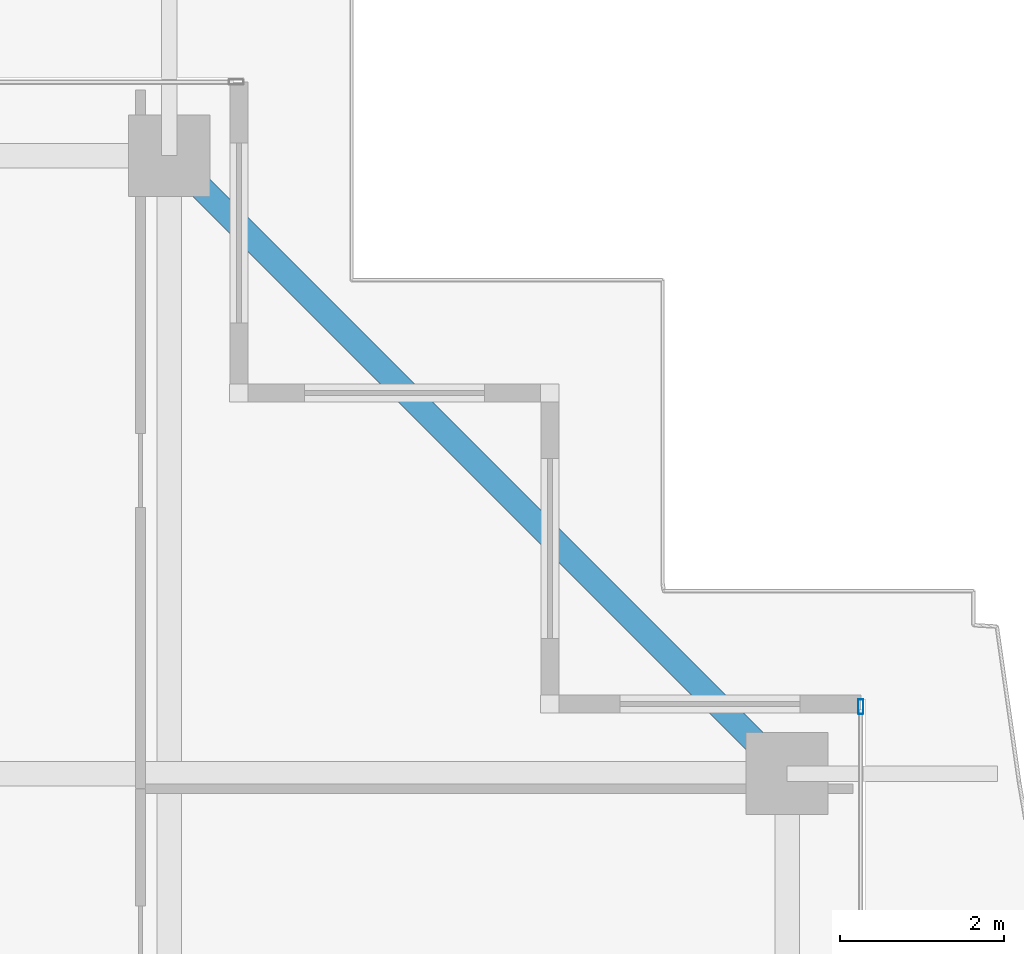
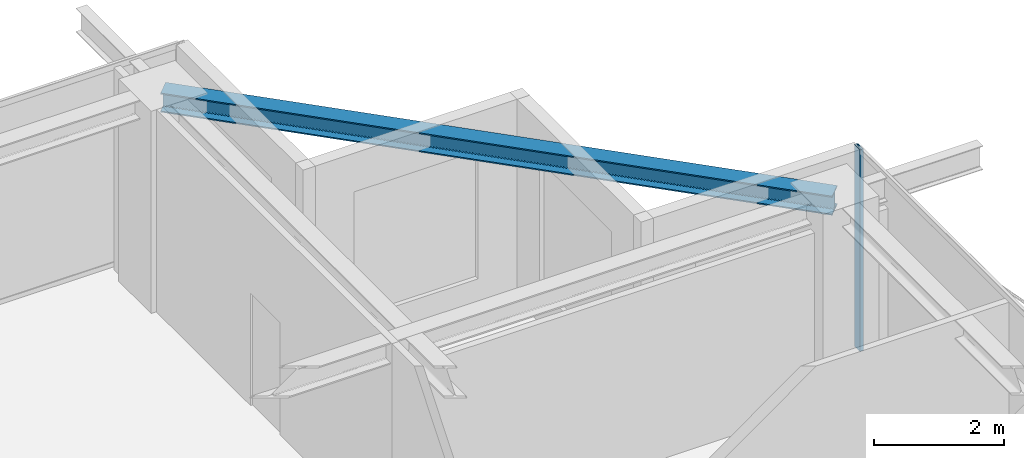
# One storey, part 28 of 42: 1 beam, 1 member, 1 element without a shape of its own.
"""IFC4 building model written with IfcOpenShell, lengths in metres."""

from ifc_helpers import new_model, si_unit, direction, frame, origin, origin_2d, place, context, subcontext, project, spatial, hollow_rectangle, i_section, extrude, source, transform, mapped, material, layer, layer_set, material_profile, profile_set, type_object, element, aggregate, save


model = new_model("IFC4")

# Units and contexts
model_context = context("Model", 3, precision=1e-05, world=origin(), true_north=direction((0.0, 1.0)))
body_context = subcontext(model_context, "Body", "Model", "MODEL_VIEW")
ifc_project = project(units=[si_unit("LENGTHUNIT", "METRE"), si_unit("AREAUNIT", "SQUARE_METRE"), si_unit("VOLUMEUNIT", "CUBIC_METRE"), si_unit("PLANEANGLEUNIT", "RADIAN"), si_unit("MASSUNIT", "GRAM", prefix="KILO")], contexts=[model_context])

# Site, building, storey
site_placement = place(None, origin())
site = spatial("IfcSite", under=ifc_project, at=site_placement, CompositionType="ELEMENT")
building_placement = place(site_placement, origin())
building = spatial("IfcBuilding", under=site, at=building_placement, Name="Serunith Strait Residences", CompositionType="ELEMENT")
storey_placement = place(building_placement, frame((0.0, 0.0, 325.85009765625)))
storey = spatial("IfcBuildingStorey", under=building, at=storey_placement, Name="L81", CompositionType="ELEMENT", Elevation=325.85009765625)

# Beam
ifc_material_1 = material(Name="Steel S355J2", Category="steel")
ifc_material_profile_1 = material_profile(ifc_material_1, i_section(OverallWidth=0.300048828125, OverallDepth=0.360107421875, WebThickness=0.012451171875, FlangeThickness=0.0224609375, FilletRadius=0.027099609375, at=origin_2d()), Name="HEB 360")
ifc_profile_set_1 = profile_set([ifc_material_profile_1], Name="Steel S355J2")
beam_type = type_object("IfcBeamType", Name="BM-HEB360", PredefinedType="BEAM", material=ifc_profile_set_1)
shared_shape_1 = source(origin(), body_context, "Body", "SweptSolid", [
    extrude(i_section(OverallWidth=0.300048828125, OverallDepth=0.360107421875, WebThickness=0.012451171875, FlangeThickness=0.0224609375, FilletRadius=0.027099609375, at=origin_2d()), origin(), (0.0, 0.0, 1.0), 10.677490234375),
])
beam_placement = place(storey_placement, frame((54.699951171875, 39.550048828125, 3.576904296875), z_axis=(-0.707106781187, 0.707106781187, 0.0), x_axis=(-0.707106781187, -0.707106781187, 0.0)))
element("IfcBeam", 1, at=beam_placement, inside=storey, type_object=beam_type, Name="L81 Perimeter Ring Beam 08", PredefinedType="BEAM", context=body_context, shape_type="MappedRepresentation", body=[
    mapped(shared_shape_1, transform((0.0, 0.0, 0.0), scale=1.0)),
])

# Curtain wall, member
ifc_material_2 = material(Name="Brushed Stainless-Silver Aluminium", Category="aluminium")
ifc_layer = layer(ifc_material_2, 0.199951171875, Name="Brushed Stainless-Silver Aluminium")
ifc_layer_set = layer_set([ifc_layer], Name="Brushed Stainless-Silver Aluminium")
curtain_wall_type = type_object("IfcCurtainWallType", Name="CW-SYS5", PredefinedType="NOTDEFINED", material=ifc_layer_set)
curtain_wall_placement = place(storey_placement, origin())
curtain_wall = element("IfcCurtainWall", 2, at=curtain_wall_placement, inside=storey, type_object=curtain_wall_type, Name="L81 E Unitised Fritted Curtain Wall", PredefinedType="NOTDEFINED")
ifc_material_profile_2 = material_profile(ifc_material_2, hollow_rectangle(XDim=0.06494140625, YDim=0.179931640625, WallThickness=0.00341796875, InnerFilletRadius=0.00537109375, OuterFilletRadius=0.0087890625, at=origin_2d()), Name="ALU 180x65x3.5")
ifc_profile_set_2 = profile_set([ifc_material_profile_2], Name="Brushed Stainless-Silver Aluminium")
member_type = type_object("IfcMemberType", Name="CW-SYS5-MULL", PredefinedType="MULLION", material=ifc_profile_set_2)
shared_shape_2 = source(origin(), body_context, "Body", "SweptSolid", [
    extrude(hollow_rectangle(XDim=0.06494140625, YDim=0.179931640625, WallThickness=0.00341796875, InnerFilletRadius=0.00537109375, OuterFilletRadius=0.0087890625, at=origin_2d()), origin(), (0.0, 0.0, 1.0), 3.77490234375),
])
member_placement = place(storey_placement, frame((55.60009765625, 40.367431640625, 0.0), z_axis=(0.0, 0.0, 1.0), x_axis=(-1.0, 0.0, 0.0)))
member = element("IfcMember", 3, at=member_placement, type_object=member_type, Name="CW-5 mullion 2", PredefinedType="MULLION", context=body_context, shape_type="MappedRepresentation", body=[
    mapped(shared_shape_2, transform((0.0, 0.0, 0.0), scale=1.0)),
])
aggregate(curtain_wall, [member])

save(model, "model.ifc")
